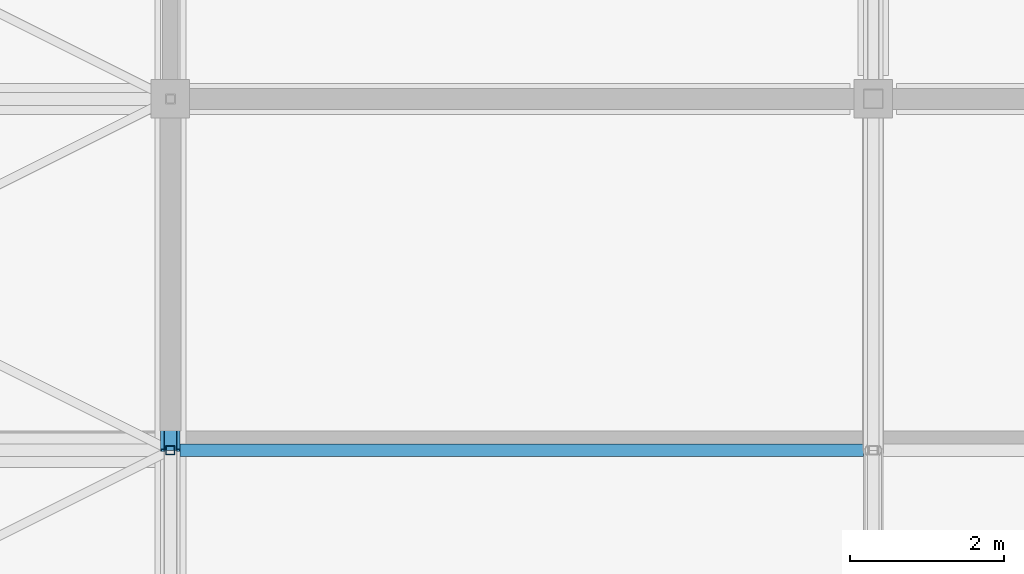
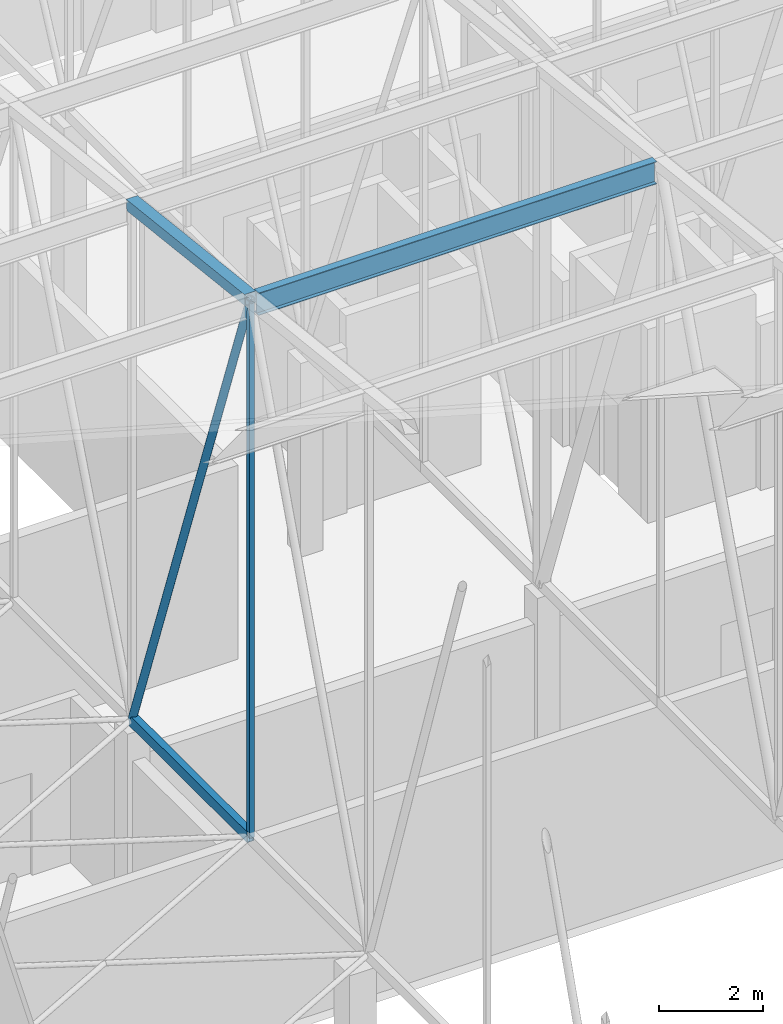
# One storey, part 176 of 500: 5 members.
"""IFC4 building model written with IfcOpenShell, lengths in metres."""

import ifcopenshell
import ifcopenshell.guid

model = None  # the IFC model being written
_history = None  # IfcOwnerHistory: only IFC2X3 demands one
_inside = {}  # id of a spatial element -> (the spatial element, [elements in it])
_under = {}  # id of a project, library or spatial element -> (it, [spatial elements below it])
_declared = {}  # id of a project -> (the project, [libraries it declares])
_typed = {}  # id of a type object -> (the type object, [elements of that type])
_made_of = {}  # id of a material, layer set ... -> (it, [elements and type objects made of it])


def new_model(schema):
    """Start an empty IFC model of exactly this schema.

    Asked for "IFC4X3", IfcOpenShell would pick the latest addendum, in which some entities
    have other attributes; the version numbers below select the first issue.
    IFC2X3 requires an IfcOwnerHistory on every rooted entity: one is made here for all.
    """
    global model, _history
    if schema == "IFC4X3":
        model = ifcopenshell.file(schema_version=(4, 3, 0, 0))
    else:
        model = ifcopenshell.file(schema=schema)
    _inside.clear()
    _under.clear()
    _declared.clear()
    _typed.clear()
    _made_of.clear()
    _history = None
    if model.schema == "IFC2X3":
        org = make("IfcOrganization", Name="unknown")
        user = make(
            "IfcPersonAndOrganization",
            ThePerson=make("IfcPerson", FamilyName="unknown"),
            TheOrganization=org,
        )
        app = make(
            "IfcApplication",
            ApplicationDeveloper=org,
            Version="unknown",
            ApplicationFullName="unknown",
            ApplicationIdentifier="unknown",
        )
        _history = make(
            "IfcOwnerHistory",
            OwningUser=user,
            OwningApplication=app,
            ChangeAction="ADDED",
            CreationDate=0,
        )
    return model


def make(cls, **values):
    """One entity of the class cls with the attributes given. An attribute that is None is left unset."""
    return model.create_entity(
        cls, **{name: value for name, value in values.items() if value is not None}
    )


def rooted(cls, **values):
    """An entity with a GlobalId (a new one), such as an element, a storey or a relation."""
    return make(cls, GlobalId=ifcopenshell.guid.new(), OwnerHistory=_history, **values)


def si_unit(unit_type, name, prefix=None):
    """IfcSIUnit, for example si_unit("LENGTHUNIT", "METRE", prefix="MILLI")."""
    return make("IfcSIUnit", UnitType=unit_type, Prefix=prefix, Name=name)


def assignment(units):
    """IfcUnitAssignment: the units of a project."""
    return None if units is None else make("IfcUnitAssignment", Units=units)


def point(xyz):
    """IfcCartesianPoint."""
    return None if xyz is None else make("IfcCartesianPoint", Coordinates=xyz)


def direction(xyz):
    """IfcDirection."""
    return None if xyz is None else make("IfcDirection", DirectionRatios=xyz)


def frame(location, z_axis=None, x_axis=None):
    """IfcAxis2Placement3D, a coordinate frame: its origin and axes. An axis left out is left unset."""
    return make(
        "IfcAxis2Placement3D",
        Location=point(location),
        Axis=direction(z_axis),
        RefDirection=direction(x_axis),
    )


def frame_2d(location, x_axis=None):
    """IfcAxis2Placement2D, a coordinate frame in the plane: its origin and x axis."""
    return make(
        "IfcAxis2Placement2D", Location=point(location), RefDirection=direction(x_axis)
    )


def origin():
    """The frame at (0, 0, 0) with its axes left unset."""
    return frame((0.0, 0.0, 0.0))


def origin_2d():
    """The frame at (0, 0) in the plane with its x axis left unset."""
    return frame_2d((0.0, 0.0))


def place(relative_to, where):
    """IfcLocalPlacement: puts the frame where relative to a parent placement (None: the world)."""
    return make(
        "IfcLocalPlacement", PlacementRelTo=relative_to, RelativePlacement=where
    )


def context(
    kind, dimensions, precision=None, world=None, true_north=None, identifier=None
):
    """IfcGeometricRepresentationContext, for example the 3D "Model" context."""
    return make(
        "IfcGeometricRepresentationContext",
        ContextIdentifier=identifier,
        ContextType=kind,
        CoordinateSpaceDimension=dimensions,
        Precision=precision,
        WorldCoordinateSystem=world,
        TrueNorth=true_north,
    )


def subcontext(parent, identifier, kind, view, scale=None):
    """IfcGeometricRepresentationSubContext, for example "Body" below "Model"."""
    return make(
        "IfcGeometricRepresentationSubContext",
        ContextIdentifier=identifier,
        ContextType=kind,
        ParentContext=parent,
        TargetScale=scale,
        TargetView=view,
    )


def project(units=None, contexts=None):
    """IfcProject with its units and contexts."""
    return rooted(
        "IfcProject",
        Name="project",
        RepresentationContexts=contexts,
        UnitsInContext=assignment(units),
    )


def spatial(cls, under=None, at=None, **own):
    """A site, building, storey or space (cls), placed at a placement, below another one or the project."""
    s = rooted(cls, ObjectPlacement=at, **own)
    if under is not None:
        _under.setdefault(under.id(), (under, []))[1].append(s)
    return s


def profile(cls, at=None, kind="AREA", **sizes):
    """A parametric profile (cls). Its sizes go by their IFC names, for example OverallWidth=200.0."""
    return make(cls, ProfileType=kind, Position=at, **sizes)


def hollow_rectangle(**sizes):
    """IfcRectangleHollowProfileDef."""
    return profile("IfcRectangleHollowProfileDef", **sizes)


def hollow_circle(**sizes):
    """IfcCircleHollowProfileDef."""
    return profile("IfcCircleHollowProfileDef", **sizes)


def i_section(**sizes):
    """IfcIShapeProfileDef."""
    return profile("IfcIShapeProfileDef", **sizes)


def extrude(swept, where, along, depth):
    """IfcExtrudedAreaSolid: the profile swept, set in the frame where, extruded along a direction by depth."""
    return make(
        "IfcExtrudedAreaSolid",
        SweptArea=swept,
        Position=where,
        ExtrudedDirection=direction(along),
        Depth=depth,
    )


def shape(context_of_items, identifier, shape_type, items):
    """IfcShapeRepresentation: the items that make up one representation, for example the "Body"."""
    return make(
        "IfcShapeRepresentation",
        ContextOfItems=context_of_items,
        RepresentationIdentifier=identifier,
        RepresentationType=shape_type,
        Items=items,
    )


def material(Name=None, Category=None):
    """IfcMaterial."""
    return make("IfcMaterial", Name=Name, Category=Category)


def material_profile(
    of_material, cross_section, Name=None, Category=None, Priority=None
):
    """IfcMaterialProfile: a cross section and its material."""
    return make(
        "IfcMaterialProfile",
        Name=Name,
        Material=of_material,
        Profile=cross_section,
        Priority=Priority,
        Category=Category,
    )


def profile_set(profiles, Name=None, composite=None):
    """IfcMaterialProfileSet."""
    return make(
        "IfcMaterialProfileSet",
        Name=Name,
        MaterialProfiles=profiles,
        CompositeProfile=composite,
    )


def made_of(thing, what):
    """Note that an element or type object is made of a material, layer set ...; save() writes the relation."""
    if what is not None:
        _made_of.setdefault(what.id(), (what, []))[1].append(thing)
    return thing


def type_object(cls, material=None, **own):
    """A type object (cls), such as IfcWallType, which elements share."""
    return made_of(rooted(cls, **own), material)


def element(
    cls,
    number,
    at=None,
    inside=None,
    cuts=None,
    type_object=None,
    material=None,
    context=None,
    identifier="Body",
    shape_type=None,
    held_by="IfcProductDefinitionShape",
    body=None,
    shapes=None,
    **own,
):
    """One element of the class cls, such as IfcWall. Its Tag is "e" and its number.

    at: its placement. inside: the storey or other place that contains it. cuts: it is an
    opening in that element (IfcRelVoidsElement). A single representation is given by context,
    identifier, shape_type and body (its items); several are given by shapes. held_by: the class
    of the entity that holds the representations. save() writes the other relations.
    """
    e = rooted(cls, Tag="e%d" % number, ObjectPlacement=at, **own)
    if body is not None:
        shapes = [shape(context, identifier, shape_type, body)]
    if shapes is not None:
        e.Representation = make(held_by, Representations=shapes)
    if inside is not None:
        _inside.setdefault(inside.id(), (inside, []))[1].append(e)
    if cuts is not None:
        rooted(
            "IfcRelVoidsElement", RelatingBuildingElement=cuts, RelatedOpeningElement=e
        )
    if type_object is not None:
        _typed.setdefault(type_object.id(), (type_object, []))[1].append(e)
    return made_of(e, material)


def aggregate(whole, parts):
    """IfcRelAggregates: a whole, such as a stair, and the parts it consists of."""
    return rooted("IfcRelAggregates", RelatingObject=whole, RelatedObjects=parts)


def save(model, path):
    """Write the relations noted so far, then the file.

    IfcRelAggregates (storeys below a building ...), IfcRelContainedInSpatialStructure (elements
    in a storey), IfcRelDefinesByType, IfcRelAssociatesMaterial and IfcRelDeclares: one each for
    every whole, place, type object, material and project.
    """
    for whole, parts in _under.values():
        aggregate(whole, parts)
    for where, things in _inside.values():
        rooted(
            "IfcRelContainedInSpatialStructure",
            RelatedElements=things,
            RelatingStructure=where,
        )
    for kind, things in _typed.values():
        rooted("IfcRelDefinesByType", RelatedObjects=things, RelatingType=kind)
    for what, things in _made_of.values():
        rooted("IfcRelAssociatesMaterial", RelatedObjects=things, RelatingMaterial=what)
    for by, libraries in _declared.values():
        rooted("IfcRelDeclares", RelatingContext=by, RelatedDefinitions=libraries)
    model.write(path)


model = new_model("IFC4")

# Units and contexts
model_context = context("Model", 3, precision=1e-05, world=origin(), true_north=direction((0.0, 1.0)))
body_context = subcontext(model_context, "Body", "Model", "MODEL_VIEW")
ifc_project = project(units=[si_unit("LENGTHUNIT", "METRE"), si_unit("AREAUNIT", "SQUARE_METRE"), si_unit("VOLUMEUNIT", "CUBIC_METRE"), si_unit("PLANEANGLEUNIT", "RADIAN"), si_unit("MASSUNIT", "GRAM", prefix="KILO")], contexts=[model_context])

# Site, building, storey
site_placement = place(None, origin())
site = spatial("IfcSite", under=ifc_project, at=site_placement, CompositionType="ELEMENT")
building_placement = place(site_placement, origin())
building = spatial("IfcBuilding", under=site, at=building_placement, Name="Shirokan Park Arena", CompositionType="ELEMENT")
storey_placement = place(building_placement, frame((0.0, 0.0, 29.1201171875)))
storey = spatial("IfcBuildingStorey", under=building, at=storey_placement, Name="L06", CompositionType="ELEMENT", Elevation=29.1201171875)

# Members
ifc_material_1 = material(Name="Steel ASTM A500 Grade C", Category="steel")
ifc_material_profile_1 = material_profile(ifc_material_1, hollow_rectangle(XDim=0.152099609375, YDim=0.25390625, WallThickness=0.009521484375, at=origin_2d()), Name="HSS254X152.4X9.5")
ifc_profile_set_1 = profile_set([ifc_material_profile_1], Name="Steel ASTM A500 Grade C")
member_type_1 = type_object("IfcMemberType", Name="Bottom chord HSS254X152.4X9.5", PredefinedType="CHORD", material=ifc_profile_set_1)
member_1_placement = place(storey_placement, frame((9.10009765625, 68.25, 4.677001953125), z_axis=(0.0, 1.0, 0.0), x_axis=(-1.0, 0.0, 0.0)))
element("IfcMember", 1, at=member_1_placement, inside=storey, type_object=member_type_1, Name="Truss T02 bottom chord 18", PredefinedType="CHORD", context=body_context, shape_type="SweptSolid", body=[
    extrude(hollow_rectangle(XDim=0.152099609375, YDim=0.25390625, WallThickness=0.009521484375, at=origin_2d()), origin(), (0.0, 0.0, 1.0), 4.550048828125),
])
ifc_material_2 = material(Name="Steel ASTM A992", Category="steel")
ifc_material_profile_2 = material_profile(ifc_material_2, i_section(OverallWidth=0.166015625, OverallDepth=0.528076171875, WebThickness=0.009765625, FlangeThickness=0.013671875, at=origin_2d()), Name="W530X74")
ifc_profile_set_2 = profile_set([ifc_material_profile_2], Name="Steel ASTM A992")
member_type_2 = type_object("IfcMemberType", Name="Purlin W530X74", PredefinedType="PURLIN", material=ifc_profile_set_2)
member_2_placement = place(storey_placement, frame((9.22705078125, 68.25, 17.165771484375), z_axis=(1.0, 0.0, 0.0), x_axis=(0.0, 1.0, 0.0)))
element("IfcMember", 2, at=member_2_placement, inside=storey, type_object=member_type_2, Name="Purlin 18 bay 2", PredefinedType="PURLIN", context=body_context, shape_type="SweptSolid", body=[
    extrude(i_section(OverallWidth=0.166015625, OverallDepth=0.528076171875, WebThickness=0.009765625, FlangeThickness=0.013671875, at=origin_2d()), origin(), (0.0, 0.0, 1.0), 8.845947265625),
])
ifc_material_profile_3 = material_profile(ifc_material_1, hollow_rectangle(XDim=0.25390625, YDim=0.25390625, WallThickness=0.009521484375, at=origin_2d()), Name="HSS254X254X9.5")
ifc_profile_set_3 = profile_set([ifc_material_profile_3], Name="Steel ASTM A500 Grade C")
member_type_3 = type_object("IfcMemberType", Name="Top chord HSS254X254X9.5", PredefinedType="CHORD", material=ifc_profile_set_3)
member_3_placement = place(storey_placement, frame((9.10009765625, 68.25, 17.302978515625), z_axis=(0.0, 0.993532328996, -0.113549598152), x_axis=(-1.0, 0.0, 0.0)))
element("IfcMember", 3, at=member_3_placement, inside=storey, type_object=member_type_3, Name="Truss T02 top chord 18", PredefinedType="CHORD", context=body_context, shape_type="SweptSolid", body=[
    extrude(hollow_rectangle(XDim=0.25390625, YDim=0.25390625, WallThickness=0.009521484375, at=origin_2d()), origin(), (0.0, 0.0, 1.0), 4.57958984375),
])
ifc_material_profile_4 = material_profile(ifc_material_1, hollow_circle(Radius=0.083984375, WallThickness=0.009521484375, at=origin_2d()), Name="HSS168.3X9.5")
ifc_profile_set_4 = profile_set([ifc_material_profile_4], Name="Steel ASTM A500 Grade C")
member_type_4 = type_object("IfcMemberType", Name="Truss diagonal HSS168.3X9.5", PredefinedType="BRACE", material=ifc_profile_set_4)
member_4_placement = place(storey_placement, frame((9.10009765625, 68.25, 17.302978515625), z_axis=(0.0, 0.339029292845, -0.940775817394), x_axis=(-1.0, 0.0, 0.0)))
element("IfcMember", 4, at=member_4_placement, inside=storey, type_object=member_type_4, Name="Truss T02 diagonal 18", PredefinedType="BRACE", context=body_context, shape_type="SweptSolid", body=[
    extrude(hollow_circle(Radius=0.083984375, WallThickness=0.009521484375, at=origin_2d()), origin(), (0.0, 0.0, 1.0), 13.4208984375),
])
ifc_material_profile_5 = material_profile(ifc_material_1, hollow_rectangle(XDim=0.114013671875, YDim=0.114013671875, WallThickness=0.00634765625, at=origin_2d()), Name="HSS114.3X114.3X6.4")
ifc_profile_set_5 = profile_set([ifc_material_profile_5], Name="Steel ASTM A500 Grade C")
member_type_5 = type_object("IfcMemberType", Name="Truss post HSS114.3X114.3X6.4", PredefinedType="POST", material=ifc_profile_set_5)
member_5_placement = place(storey_placement, frame((9.10009765625, 68.25, 4.677001953125), z_axis=(0.0, 0.0, 1.0), x_axis=(1.0, 0.0, 0.0)))
element("IfcMember", 5, at=member_5_placement, inside=storey, type_object=member_type_5, Name="Truss T02 post 18", PredefinedType="POST", context=body_context, shape_type="SweptSolid", body=[
    extrude(hollow_rectangle(XDim=0.114013671875, YDim=0.114013671875, WallThickness=0.00634765625, at=origin_2d()), origin(), (0.0, 0.0, 1.0), 12.6259765625),
])

save(model, "model.ifc")
